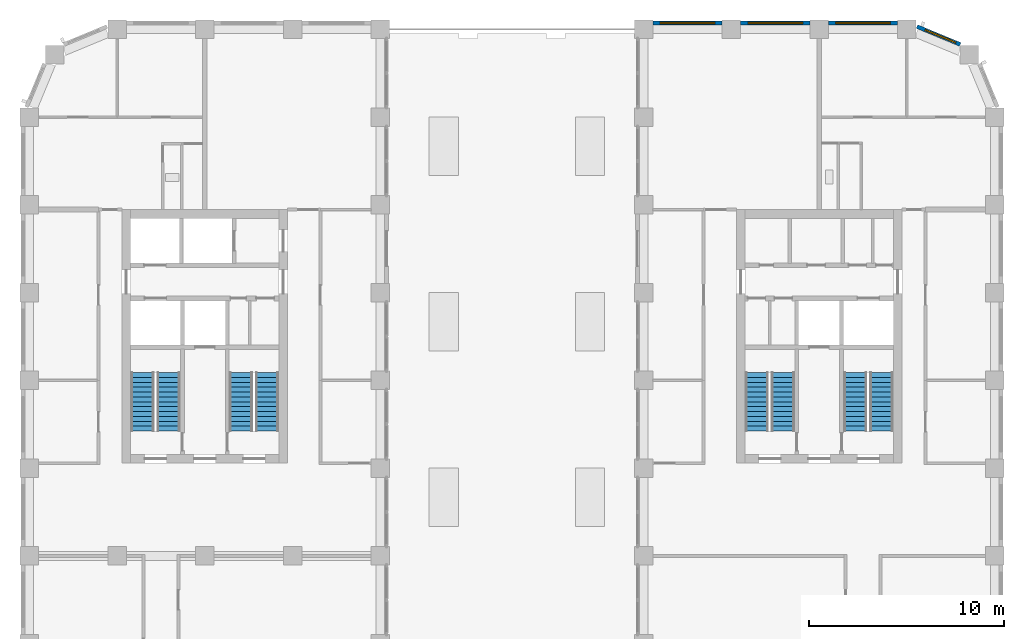
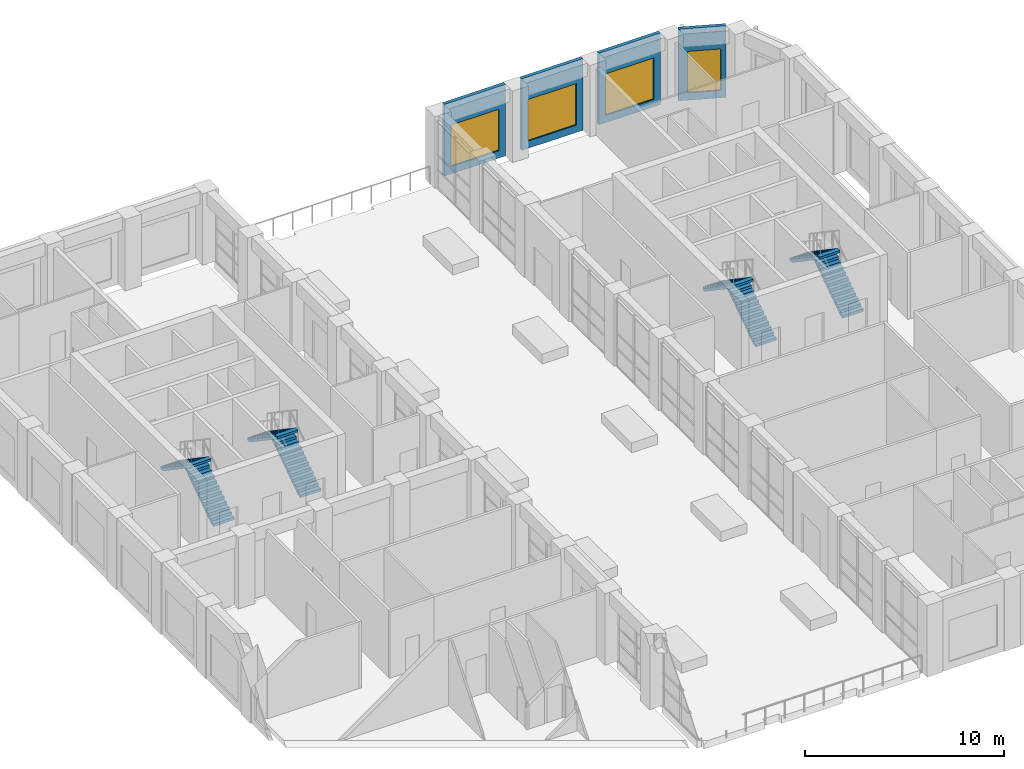
# One storey, part 16 of 20: 8 stair flights, 4 walls, 4 windows, 4 openings, 4 elements without a shape of their own.
"""IFC4 building model written with IfcOpenShell, lengths in metres."""

from ifc_helpers import new_model, si_unit, direction, frame, frame_2d, origin, place, context, subcontext, project, spatial, polyline, rectangle, outline, extrude, material, layer, layer_set, type_object, element, fill, aggregate, save


model = new_model("IFC4")

# Units and contexts
model_context = context("Model", 3, precision=1e-05, world=origin(), true_north=direction((0.0, 1.0)))
body_context = subcontext(model_context, "Body", "Model", "MODEL_VIEW")
ifc_project = project(units=[si_unit("LENGTHUNIT", "METRE"), si_unit("AREAUNIT", "SQUARE_METRE"), si_unit("VOLUMEUNIT", "CUBIC_METRE"), si_unit("PLANEANGLEUNIT", "RADIAN"), si_unit("MASSUNIT", "GRAM", prefix="KILO")], contexts=[model_context])

# Site, building, storey
site_placement = place(None, origin())
site = spatial("IfcSite", under=ifc_project, at=site_placement, CompositionType="ELEMENT")
building_placement = place(site_placement, origin())
building = spatial("IfcBuilding", under=site, at=building_placement, Name="Girih Gate Residences", CompositionType="ELEMENT")
storey_placement = place(building_placement, frame((0.0, 0.0, 146.199951171875)))
storey = spatial("IfcBuildingStorey", under=building, at=storey_placement, Name="L41", CompositionType="ELEMENT", Elevation=146.199951171875)

# Wall, opening, window
ifc_material_1 = material(Name="Precast concrete C50/60", Category="concrete")
ifc_layer_1 = layer(ifc_material_1, 0.06005859375, Name="Outer leaf")
ifc_material_2 = material(Name="Rigid PIR insulation")
ifc_layer_2 = layer(ifc_material_2, 0.090087890625, Name="Insulation")
ifc_material_3 = material(Name="Precast concrete C40/50", Category="concrete")
ifc_layer_3 = layer(ifc_material_3, 0.050048828125, Name="Inner leaf")
ifc_layer_set = layer_set([ifc_layer_1, ifc_layer_2, ifc_layer_3], Name="Precast concrete C50/60 external wall 200")
wall_type = type_object("IfcWallType", Name="Precast concrete C50/60 external wall 200", PredefinedType="SOLIDWALL", material=ifc_layer_set)
wall_1_placement = place(storey_placement, frame((45.51318359375, 49.63916015625, 0.0), z_axis=(0.0, 0.0, 1.0), x_axis=(0.923880599843, -0.382680855588, 0.0)))
wall_1 = element("IfcWall", 1, at=wall_1_placement, inside=storey, type_object=wall_type, Name="External wall NE0482_0482.0", PredefinedType="SOLIDWALL", context=body_context, shape_type="SweptSolid", body=[
    extrude(rectangle(XDim=2.402587890625, YDim=0.199951171875, at=frame_2d((1.201171875, 0.0))), origin(), (0.0, 0.0, 1.0), 4.400146484375),
])
opening_1_placement = place(wall_1_placement, frame((0.451171875, 0.0, 0.449951171875)))
opening_1 = element("IfcOpeningElement", 2, at=opening_1_placement, cuts=wall_1, Name="Opening W-2F", PredefinedType="OPENING", context=body_context, shape_type="SweptSolid", body=[
    extrude(rectangle(XDim=1.699951171875, YDim=2.550048828125, at=frame_2d((0.85009765625, 1.27490234375))), frame((0.0, 0.10986328125, 0.0), z_axis=(0.0, -1.0, 0.0), x_axis=(1.0, 0.0, 0.0)), (0.0, 0.0, 1.0), 0.219970703125),
])
ifc_material_4 = material(Name="Double glazing in aluminium frame", Category="aluminium")
window_type_1 = type_object("IfcWindowType", Name="Window W-2F 1700x2550", PartitioningType="SINGLE_PANEL", PredefinedType="WINDOW", material=ifc_material_4)
window_1_placement = place(opening_1_placement, origin())
window_1 = element("IfcWindow", 3, at=window_1_placement, inside=storey, type_object=window_type_1, Name="Window W-2F NE0482_0482.0", OverallHeight=2.550048828125, OverallWidth=1.699951171875, PartitioningType="SINGLE_PANEL", PredefinedType="WINDOW", context=body_context, shape_type="SweptSolid", body=[
    extrude(rectangle(XDim=1.699951171875, YDim=2.550048828125, at=frame_2d((0.85009765625, 1.27490234375))), frame((0.0, 0.030029296875, 0.0), z_axis=(0.0, -1.0, 0.0), x_axis=(1.0, 0.0, 0.0)), (0.0, 0.0, 1.0), 0.06005859375),
])
fill(opening_1, window_1)

wall_2_placement = place(storey_placement, frame((40.97509765625, 49.824951171875, 0.0), z_axis=(0.0, 0.0, 1.0), x_axis=(1.0, 0.0, 0.0)))
wall_2 = element("IfcWall", 4, at=wall_2_placement, inside=storey, type_object=wall_type, Name="External wall N0450_0495.0", PredefinedType="SOLIDWALL", context=body_context, shape_type="SweptSolid", body=[
    extrude(rectangle(XDim=3.5498046875, YDim=0.199951171875, at=frame_2d((1.77490234375, 0.0))), origin(), (0.0, 0.0, 1.0), 4.400146484375),
])
opening_2_placement = place(wall_2_placement, frame((0.375, 0.0, 0.449951171875)))
opening_2 = element("IfcOpeningElement", 5, at=opening_2_placement, cuts=wall_2, Name="Opening W-6A", PredefinedType="OPENING", context=body_context, shape_type="SweptSolid", body=[
    extrude(rectangle(XDim=2.800048828125, YDim=2.550048828125, at=frame_2d((1.39990234375, 1.27490234375))), frame((0.0, 0.10986328125, 0.0), z_axis=(0.0, -1.0, 0.0), x_axis=(1.0, 0.0, 0.0)), (0.0, 0.0, 1.0), 0.219970703125),
])
window_type_2 = type_object("IfcWindowType", Name="Window W-6A 2800x2550", PartitioningType="SINGLE_PANEL", PredefinedType="WINDOW", material=ifc_material_4)
window_2_placement = place(opening_2_placement, origin())
window_2 = element("IfcWindow", 6, at=window_2_placement, inside=storey, type_object=window_type_2, Name="Window W-6A N0450_0495.0", OverallHeight=2.550048828125, OverallWidth=2.800048828125, PartitioningType="SINGLE_PANEL", PredefinedType="WINDOW", context=body_context, shape_type="SweptSolid", body=[
    extrude(rectangle(XDim=2.800048828125, YDim=2.550048828125, at=frame_2d((1.39990234375, 1.27490234375))), frame((0.0, 0.030029296875, 0.0), z_axis=(0.0, -1.0, 0.0), x_axis=(1.0, 0.0, 0.0)), (0.0, 0.0, 1.0), 0.06005859375),
])
fill(opening_2, window_2)

wall_3_placement = place(storey_placement, frame((36.47509765625, 49.824951171875, 0.0), z_axis=(0.0, 0.0, 1.0), x_axis=(1.0, 0.0, 0.0)))
wall_3 = element("IfcWall", 7, at=wall_3_placement, inside=storey, type_object=wall_type, Name="External wall N0450_0495.1", PredefinedType="SOLIDWALL", context=body_context, shape_type="SweptSolid", body=[
    extrude(rectangle(XDim=3.5498046875, YDim=0.199951171875, at=frame_2d((1.77490234375, 0.0))), origin(), (0.0, 0.0, 1.0), 4.400146484375),
])
opening_3_placement = place(wall_3_placement, frame((0.375, 0.0, 0.449951171875)))
opening_3 = element("IfcOpeningElement", 8, at=opening_3_placement, cuts=wall_3, Name="Opening W-6A", PredefinedType="OPENING", context=body_context, shape_type="SweptSolid", body=[
    extrude(rectangle(XDim=2.800048828125, YDim=2.550048828125, at=frame_2d((1.39990234375, 1.27490234375))), frame((0.0, 0.10986328125, 0.0), z_axis=(0.0, -1.0, 0.0), x_axis=(1.0, 0.0, 0.0)), (0.0, 0.0, 1.0), 0.219970703125),
])
window_3_placement = place(opening_3_placement, origin())
window_3 = element("IfcWindow", 9, at=window_3_placement, inside=storey, type_object=window_type_2, Name="Window W-6A N0450_0495.1", OverallHeight=2.550048828125, OverallWidth=2.800048828125, PartitioningType="SINGLE_PANEL", PredefinedType="WINDOW", context=body_context, shape_type="SweptSolid", body=[
    extrude(rectangle(XDim=2.800048828125, YDim=2.550048828125, at=frame_2d((1.39990234375, 1.27490234375))), frame((0.0, 0.030029296875, 0.0), z_axis=(0.0, -1.0, 0.0), x_axis=(1.0, 0.0, 0.0)), (0.0, 0.0, 1.0), 0.06005859375),
])
fill(opening_3, window_3)

wall_4_placement = place(storey_placement, frame((31.97509765625, 49.824951171875, 0.0), z_axis=(0.0, 0.0, 1.0), x_axis=(1.0, 0.0, 0.0)))
wall_4 = element("IfcWall", 10, at=wall_4_placement, inside=storey, type_object=wall_type, Name="External wall N0450_0495.2", PredefinedType="SOLIDWALL", context=body_context, shape_type="SweptSolid", body=[
    extrude(rectangle(XDim=3.5498046875, YDim=0.199951171875, at=frame_2d((1.77490234375, 0.0))), origin(), (0.0, 0.0, 1.0), 4.400146484375),
])
opening_4_placement = place(wall_4_placement, frame((0.375, 0.0, 0.449951171875)))
opening_4 = element("IfcOpeningElement", 11, at=opening_4_placement, cuts=wall_4, Name="Opening W-6A", PredefinedType="OPENING", context=body_context, shape_type="SweptSolid", body=[
    extrude(rectangle(XDim=2.800048828125, YDim=2.550048828125, at=frame_2d((1.39990234375, 1.27490234375))), frame((0.0, 0.10986328125, 0.0), z_axis=(0.0, -1.0, 0.0), x_axis=(1.0, 0.0, 0.0)), (0.0, 0.0, 1.0), 0.219970703125),
])
window_4_placement = place(opening_4_placement, origin())
window_4 = element("IfcWindow", 12, at=window_4_placement, inside=storey, type_object=window_type_2, Name="Window W-6A N0450_0495.2", OverallHeight=2.550048828125, OverallWidth=2.800048828125, PartitioningType="SINGLE_PANEL", PredefinedType="WINDOW", context=body_context, shape_type="SweptSolid", body=[
    extrude(rectangle(XDim=2.800048828125, YDim=2.550048828125, at=frame_2d((1.39990234375, 1.27490234375))), frame((0.0, 0.030029296875, 0.0), z_axis=(0.0, -1.0, 0.0), x_axis=(1.0, 0.0, 0.0)), (0.0, 0.0, 1.0), 0.06005859375),
])
fill(opening_4, window_4)

# Stair, stair flights
ifc_material_5 = material(Name="Concrete C40/50", Category="concrete")
stair_type = type_object("IfcStairType", Name="Exit stair", PredefinedType="HALF_TURN_STAIR", material=ifc_material_5)
stair_1_placement = place(storey_placement, origin())
stair_1 = element("IfcStair", 13, at=stair_1_placement, inside=storey, type_object=stair_type, Name="L41 Exit Stair ST-W1", PredefinedType="HALF_TURN_STAIR")
stair_flight_type = type_object("IfcStairFlightType", Name="Stair flight 1200", PredefinedType="STRAIGHT", material=ifc_material_5)
stair_flight_1_placement = place(storey_placement, frame((7.14990234375, 28.89990234375, 0.0), z_axis=(0.0, 0.0, 1.0), x_axis=(0.0, 1.0, 0.0)))
stair_flight_1 = element("IfcStairFlight", 14, at=stair_flight_1_placement, type_object=stair_flight_type, Name="ST-W1 flight 1", NumberOfRisers=13, NumberOfTreads=12, PredefinedType="STRAIGHT", RiserHeight=0.169230769, TreadLength=0.25, context=body_context, shape_type="SweptSolid", body=[
    extrude(outline(polyline([(0.0, 0.0), (0.0, 0.169189453125), (0.25, 0.169189453125), (0.25, 0.33837890625), (0.5, 0.33837890625), (0.5, 0.5078125), (0.75, 0.5078125), (0.75, 0.677001953125), (1.0, 0.677001953125), (1.0, 0.84619140625), (1.25, 0.84619140625), (1.25, 1.015380859375), (1.5, 1.015380859375), (1.5, 1.1845703125), (1.75, 1.1845703125), (1.75, 1.353759765625), (2.0, 1.353759765625), (2.0, 1.523193359375), (2.25, 1.523193359375), (2.25, 1.6923828125), (2.5, 1.6923828125), (2.5, 1.861572265625), (2.75, 1.861572265625), (2.75, 2.03076171875), (3.0, 2.03076171875), (3.0, 2.199951171875), (3.0, 1.8857421875), (0.21435546875, 0.0), (0.0, 0.0)])), frame((0.0, 0.60009765625, 0.0), z_axis=(0.0, -1.0, 0.0), x_axis=(1.0, 0.0, 0.0)), (0.0, 0.0, 1.0), 1.199951171875),
])
stair_flight_2_placement = place(storey_placement, frame((5.800048828125, 31.89990234375, 2.199951171875), z_axis=(0.0, 0.0, 1.0), x_axis=(0.0, -1.0, 0.0)))
stair_flight_2 = element("IfcStairFlight", 15, at=stair_flight_2_placement, type_object=stair_flight_type, Name="ST-W1 flight 2", NumberOfRisers=13, NumberOfTreads=12, PredefinedType="STRAIGHT", RiserHeight=0.169230769, TreadLength=0.25, context=body_context, shape_type="SweptSolid", body=[
    extrude(outline(polyline([(0.0, 0.0), (0.0, 0.169189453125), (0.25, 0.169189453125), (0.25, 0.33837890625), (0.5, 0.33837890625), (0.5, 0.5078125), (0.75, 0.5078125), (0.75, 0.677001953125), (1.0, 0.677001953125), (1.0, 0.84619140625), (1.25, 0.84619140625), (1.25, 1.015380859375), (1.5, 1.015380859375), (1.5, 1.1845703125), (1.75, 1.1845703125), (1.75, 1.353759765625), (2.0, 1.353759765625), (2.0, 1.523193359375), (2.25, 1.523193359375), (2.25, 1.6923828125), (2.5, 1.6923828125), (2.5, 1.861572265625), (2.75, 1.861572265625), (2.75, 2.03076171875), (3.0, 2.03076171875), (3.0, 2.199951171875), (3.0, 1.8857421875), (0.21435546875, 0.0), (0.0, 0.0)])), frame((0.0, 0.60009765625, 0.0), z_axis=(0.0, -1.0, 0.0), x_axis=(1.0, 0.0, 0.0)), (0.0, 0.0, 1.0), 1.199951171875),
])
aggregate(stair_1, [stair_flight_1, stair_flight_2])

stair_2_placement = place(storey_placement, origin())
stair_2 = element("IfcStair", 16, at=stair_2_placement, inside=storey, type_object=stair_type, Name="L41 Exit Stair ST-W2", PredefinedType="HALF_TURN_STAIR")
stair_flight_3_placement = place(storey_placement, frame((12.199951171875, 28.89990234375, 0.0), z_axis=(0.0, 0.0, 1.0), x_axis=(0.0, 1.0, 0.0)))
stair_flight_3 = element("IfcStairFlight", 17, at=stair_flight_3_placement, type_object=stair_flight_type, Name="ST-W2 flight 1", NumberOfRisers=13, NumberOfTreads=12, PredefinedType="STRAIGHT", RiserHeight=0.169230769, TreadLength=0.25, context=body_context, shape_type="SweptSolid", body=[
    extrude(outline(polyline([(0.0, 0.0), (0.0, 0.169189453125), (0.25, 0.169189453125), (0.25, 0.33837890625), (0.5, 0.33837890625), (0.5, 0.5078125), (0.75, 0.5078125), (0.75, 0.677001953125), (1.0, 0.677001953125), (1.0, 0.84619140625), (1.25, 0.84619140625), (1.25, 1.015380859375), (1.5, 1.015380859375), (1.5, 1.1845703125), (1.75, 1.1845703125), (1.75, 1.353759765625), (2.0, 1.353759765625), (2.0, 1.523193359375), (2.25, 1.523193359375), (2.25, 1.6923828125), (2.5, 1.6923828125), (2.5, 1.861572265625), (2.75, 1.861572265625), (2.75, 2.03076171875), (3.0, 2.03076171875), (3.0, 2.199951171875), (3.0, 1.8857421875), (0.21435546875, 0.0), (0.0, 0.0)])), frame((0.0, 0.60009765625, 0.0), z_axis=(0.0, -1.0, 0.0), x_axis=(1.0, 0.0, 0.0)), (0.0, 0.0, 1.0), 1.199951171875),
])
stair_flight_4_placement = place(storey_placement, frame((10.85009765625, 31.89990234375, 2.199951171875), z_axis=(0.0, 0.0, 1.0), x_axis=(0.0, -1.0, 0.0)))
stair_flight_4 = element("IfcStairFlight", 18, at=stair_flight_4_placement, type_object=stair_flight_type, Name="ST-W2 flight 2", NumberOfRisers=13, NumberOfTreads=12, PredefinedType="STRAIGHT", RiserHeight=0.169230769, TreadLength=0.25, context=body_context, shape_type="SweptSolid", body=[
    extrude(outline(polyline([(0.0, 0.0), (0.0, 0.169189453125), (0.25, 0.169189453125), (0.25, 0.33837890625), (0.5, 0.33837890625), (0.5, 0.5078125), (0.75, 0.5078125), (0.75, 0.677001953125), (1.0, 0.677001953125), (1.0, 0.84619140625), (1.25, 0.84619140625), (1.25, 1.015380859375), (1.5, 1.015380859375), (1.5, 1.1845703125), (1.75, 1.1845703125), (1.75, 1.353759765625), (2.0, 1.353759765625), (2.0, 1.523193359375), (2.25, 1.523193359375), (2.25, 1.6923828125), (2.5, 1.6923828125), (2.5, 1.861572265625), (2.75, 1.861572265625), (2.75, 2.03076171875), (3.0, 2.03076171875), (3.0, 2.199951171875), (3.0, 1.8857421875), (0.21435546875, 0.0), (0.0, 0.0)])), frame((0.0, 0.60009765625, 0.0), z_axis=(0.0, -1.0, 0.0), x_axis=(1.0, 0.0, 0.0)), (0.0, 0.0, 1.0), 1.199951171875),
])
aggregate(stair_2, [stair_flight_3, stair_flight_4])

stair_3_placement = place(storey_placement, origin())
stair_3 = element("IfcStair", 19, at=stair_3_placement, inside=storey, type_object=stair_type, Name="L41 Exit Stair ST-E1", PredefinedType="HALF_TURN_STAIR")
stair_flight_5_placement = place(storey_placement, frame((43.699951171875, 28.89990234375, 0.0), z_axis=(0.0, 0.0, 1.0), x_axis=(0.0, 1.0, 0.0)))
stair_flight_5 = element("IfcStairFlight", 20, at=stair_flight_5_placement, type_object=stair_flight_type, Name="ST-E1 flight 1", NumberOfRisers=13, NumberOfTreads=12, PredefinedType="STRAIGHT", RiserHeight=0.169230769, TreadLength=0.25, context=body_context, shape_type="SweptSolid", body=[
    extrude(outline(polyline([(0.0, 0.0), (0.0, 0.169189453125), (0.25, 0.169189453125), (0.25, 0.33837890625), (0.5, 0.33837890625), (0.5, 0.5078125), (0.75, 0.5078125), (0.75, 0.677001953125), (1.0, 0.677001953125), (1.0, 0.84619140625), (1.25, 0.84619140625), (1.25, 1.015380859375), (1.5, 1.015380859375), (1.5, 1.1845703125), (1.75, 1.1845703125), (1.75, 1.353759765625), (2.0, 1.353759765625), (2.0, 1.523193359375), (2.25, 1.523193359375), (2.25, 1.6923828125), (2.5, 1.6923828125), (2.5, 1.861572265625), (2.75, 1.861572265625), (2.75, 2.03076171875), (3.0, 2.03076171875), (3.0, 2.199951171875), (3.0, 1.8857421875), (0.21435546875, 0.0), (0.0, 0.0)])), frame((0.0, 0.60009765625, 0.0), z_axis=(0.0, -1.0, 0.0), x_axis=(1.0, 0.0, 0.0)), (0.0, 0.0, 1.0), 1.199951171875),
])
stair_flight_6_placement = place(storey_placement, frame((42.35009765625, 31.89990234375, 2.199951171875), z_axis=(0.0, 0.0, 1.0), x_axis=(0.0, -1.0, 0.0)))
stair_flight_6 = element("IfcStairFlight", 21, at=stair_flight_6_placement, type_object=stair_flight_type, Name="ST-E1 flight 2", NumberOfRisers=13, NumberOfTreads=12, PredefinedType="STRAIGHT", RiserHeight=0.169230769, TreadLength=0.25, context=body_context, shape_type="SweptSolid", body=[
    extrude(outline(polyline([(0.0, 0.0), (0.0, 0.169189453125), (0.25, 0.169189453125), (0.25, 0.33837890625), (0.5, 0.33837890625), (0.5, 0.5078125), (0.75, 0.5078125), (0.75, 0.677001953125), (1.0, 0.677001953125), (1.0, 0.84619140625), (1.25, 0.84619140625), (1.25, 1.015380859375), (1.5, 1.015380859375), (1.5, 1.1845703125), (1.75, 1.1845703125), (1.75, 1.353759765625), (2.0, 1.353759765625), (2.0, 1.523193359375), (2.25, 1.523193359375), (2.25, 1.6923828125), (2.5, 1.6923828125), (2.5, 1.861572265625), (2.75, 1.861572265625), (2.75, 2.03076171875), (3.0, 2.03076171875), (3.0, 2.199951171875), (3.0, 1.8857421875), (0.21435546875, 0.0), (0.0, 0.0)])), frame((0.0, 0.60009765625, 0.0), z_axis=(0.0, -1.0, 0.0), x_axis=(1.0, 0.0, 0.0)), (0.0, 0.0, 1.0), 1.199951171875),
])
aggregate(stair_3, [stair_flight_5, stair_flight_6])

stair_4_placement = place(storey_placement, origin())
stair_4 = element("IfcStair", 22, at=stair_4_placement, inside=storey, type_object=stair_type, Name="L41 Exit Stair ST-E2", PredefinedType="HALF_TURN_STAIR")
stair_flight_7_placement = place(storey_placement, frame((38.64990234375, 28.89990234375, 0.0), z_axis=(0.0, 0.0, 1.0), x_axis=(0.0, 1.0, 0.0)))
stair_flight_7 = element("IfcStairFlight", 23, at=stair_flight_7_placement, type_object=stair_flight_type, Name="ST-E2 flight 1", NumberOfRisers=13, NumberOfTreads=12, PredefinedType="STRAIGHT", RiserHeight=0.169230769, TreadLength=0.25, context=body_context, shape_type="SweptSolid", body=[
    extrude(outline(polyline([(0.0, 0.0), (0.0, 0.169189453125), (0.25, 0.169189453125), (0.25, 0.33837890625), (0.5, 0.33837890625), (0.5, 0.5078125), (0.75, 0.5078125), (0.75, 0.677001953125), (1.0, 0.677001953125), (1.0, 0.84619140625), (1.25, 0.84619140625), (1.25, 1.015380859375), (1.5, 1.015380859375), (1.5, 1.1845703125), (1.75, 1.1845703125), (1.75, 1.353759765625), (2.0, 1.353759765625), (2.0, 1.523193359375), (2.25, 1.523193359375), (2.25, 1.6923828125), (2.5, 1.6923828125), (2.5, 1.861572265625), (2.75, 1.861572265625), (2.75, 2.03076171875), (3.0, 2.03076171875), (3.0, 2.199951171875), (3.0, 1.8857421875), (0.21435546875, 0.0), (0.0, 0.0)])), frame((0.0, 0.60009765625, 0.0), z_axis=(0.0, -1.0, 0.0), x_axis=(1.0, 0.0, 0.0)), (0.0, 0.0, 1.0), 1.199951171875),
])
stair_flight_8_placement = place(storey_placement, frame((37.300048828125, 31.89990234375, 2.199951171875), z_axis=(0.0, 0.0, 1.0), x_axis=(0.0, -1.0, 0.0)))
stair_flight_8 = element("IfcStairFlight", 24, at=stair_flight_8_placement, type_object=stair_flight_type, Name="ST-E2 flight 2", NumberOfRisers=13, NumberOfTreads=12, PredefinedType="STRAIGHT", RiserHeight=0.169230769, TreadLength=0.25, context=body_context, shape_type="SweptSolid", body=[
    extrude(outline(polyline([(0.0, 0.0), (0.0, 0.169189453125), (0.25, 0.169189453125), (0.25, 0.33837890625), (0.5, 0.33837890625), (0.5, 0.5078125), (0.75, 0.5078125), (0.75, 0.677001953125), (1.0, 0.677001953125), (1.0, 0.84619140625), (1.25, 0.84619140625), (1.25, 1.015380859375), (1.5, 1.015380859375), (1.5, 1.1845703125), (1.75, 1.1845703125), (1.75, 1.353759765625), (2.0, 1.353759765625), (2.0, 1.523193359375), (2.25, 1.523193359375), (2.25, 1.6923828125), (2.5, 1.6923828125), (2.5, 1.861572265625), (2.75, 1.861572265625), (2.75, 2.03076171875), (3.0, 2.03076171875), (3.0, 2.199951171875), (3.0, 1.8857421875), (0.21435546875, 0.0), (0.0, 0.0)])), frame((0.0, 0.60009765625, 0.0), z_axis=(0.0, -1.0, 0.0), x_axis=(1.0, 0.0, 0.0)), (0.0, 0.0, 1.0), 1.199951171875),
])
aggregate(stair_4, [stair_flight_7, stair_flight_8])

save(model, "model.ifc")
